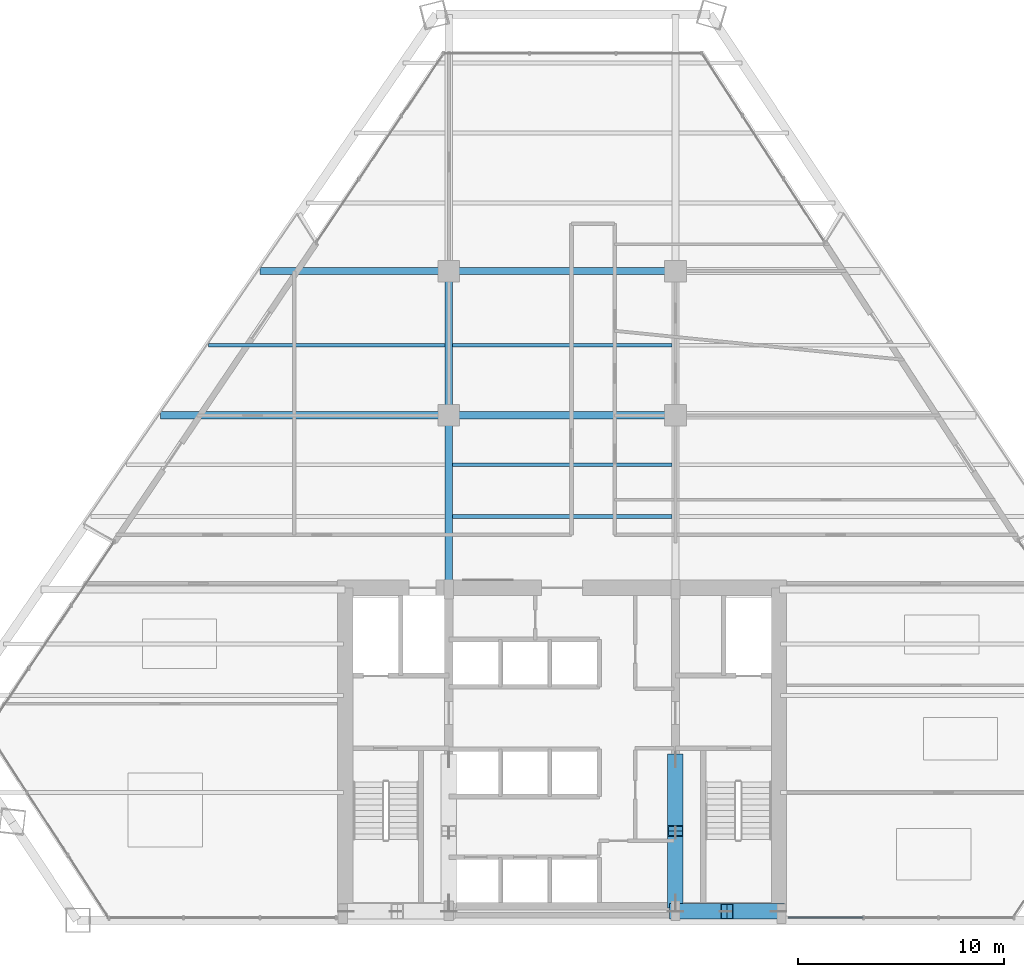
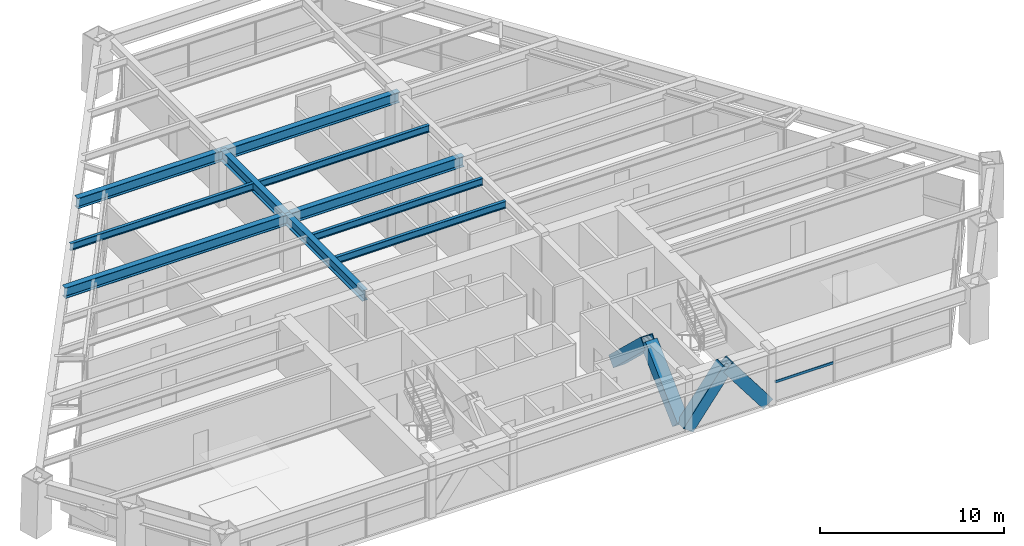
# One storey, part 5 of 14: 10 beams, 5 members, 1 element without a shape of its own.
"""IFC4 building model written with IfcOpenShell, lengths in metres."""

from ifc_helpers import new_model, si_unit, direction, frame, origin, origin_2d, place, context, subcontext, project, spatial, rectangle, hollow_rectangle, i_section, extrude, source, transform, mapped, material, material_profile, profile_set, type_object, type_shapes, element, aggregate, save


model = new_model("IFC4")

# Units and contexts
model_context = context("Model", 3, precision=1e-05, world=origin(), true_north=direction((0.0, 1.0)))
body_context = subcontext(model_context, "Body", "Model", "MODEL_VIEW")
ifc_project = project(units=[si_unit("LENGTHUNIT", "METRE"), si_unit("AREAUNIT", "SQUARE_METRE"), si_unit("VOLUMEUNIT", "CUBIC_METRE"), si_unit("PLANEANGLEUNIT", "RADIAN"), si_unit("MASSUNIT", "GRAM", prefix="KILO")], contexts=[model_context])

# Site, building, storey
site_placement = place(None, origin())
site = spatial("IfcSite", under=ifc_project, at=site_placement, CompositionType="ELEMENT")
building_placement = place(site_placement, origin())
building = spatial("IfcBuilding", under=site, at=building_placement, Name="Varnakhor Terracotta Tower", CompositionType="ELEMENT")
storey_placement = place(building_placement, frame((0.0, 0.0, 87.699951171875)))
storey = spatial("IfcBuildingStorey", under=building, at=storey_placement, Name="L21", CompositionType="ELEMENT", Elevation=87.699951171875)

# Beams
ifc_material_1 = material(Name="Steel S355", Category="steel")
ifc_material_profile_1 = material_profile(ifc_material_1, i_section(OverallWidth=0.35498046875, OverallDepth=0.695068359375, WebThickness=0.014892578125, FlangeThickness=0.02490234375, FilletRadius=0.01806640625, at=origin_2d()), Name="W27X146")
ifc_profile_set_1 = profile_set([ifc_material_profile_1], Name="Steel S355")
beam_type_1 = type_object("IfcBeamType", Name="BM-W27X146", PredefinedType="BEAM", material=ifc_profile_set_1)
shared_shape_1 = source(origin(), body_context, "Body", "SweptSolid", [
    extrude(i_section(OverallWidth=0.35498046875, OverallDepth=0.695068359375, WebThickness=0.014892578125, FlangeThickness=0.02490234375, FilletRadius=0.01806640625, at=origin_2d()), origin(), (0.0, 0.0, 1.0), 8.449951171875),
])
type_shapes(beam_type_1, [shared_shape_1])
beam_1_placement = place(storey_placement, frame((-5.5, 16.050048828125, 3.1025390625), z_axis=(0.0, 1.0, 0.0), x_axis=(-1.0, 0.0, 0.0)))
element("IfcBeam", 1, at=beam_1_placement, inside=storey, type_object=beam_type_1, Name="L21 Primary Girder NS1-W", PredefinedType="BEAM", context=body_context, shape_type="MappedRepresentation", body=[
    mapped(shared_shape_1, transform((0.0, 0.0, 0.0), scale=1.0)),
])
shared_shape_2 = source(origin(), body_context, "Body", "SweptSolid", [
    extrude(i_section(OverallWidth=0.35498046875, OverallDepth=0.695068359375, WebThickness=0.014892578125, FlangeThickness=0.02490234375, FilletRadius=0.01806640625, at=origin_2d()), origin(), (0.0, 0.0, 1.0), 7.0),
])
beam_2_placement = place(storey_placement, frame((-5.5, 24.5, 3.1025390625), z_axis=(0.0, 1.0, 0.0), x_axis=(-1.0, 0.0, 0.0)))
element("IfcBeam", 2, at=beam_2_placement, inside=storey, type_object=beam_type_1, Name="L21 Primary Girder NS2-W", PredefinedType="BEAM", context=body_context, shape_type="MappedRepresentation", body=[
    mapped(shared_shape_2, transform((0.0, 0.0, 0.0), scale=1.0)),
])
shared_shape_3 = source(origin(), body_context, "Body", "SweptSolid", [
    extrude(i_section(OverallWidth=0.35498046875, OverallDepth=0.695068359375, WebThickness=0.014892578125, FlangeThickness=0.02490234375, FilletRadius=0.01806640625, at=origin_2d()), origin(), (0.0, 0.0, 1.0), 11.0),
])
for number, where, z_axis, x_axis, name in (
    (3, (-5.5, 24.5, 3.1025390625), (1.0, 0.0, 0.0), (0.0, 1.0, 0.0), "L21 Primary Girder EW2-2"),
    (4, (-5.5, 31.5, 3.1025390625), (1.0, 0.0, 0.0), (0.0, 1.0, 0.0), "L21 Primary Girder EW3-2"),
):
    element("IfcBeam", number, at=place(storey_placement, frame(where, z_axis=z_axis, x_axis=x_axis)), inside=storey, type_object=beam_type_1, Name=name, PredefinedType="BEAM", context=body_context, shape_type="MappedRepresentation", body=[
        mapped(shared_shape_3, transform((0.0, 0.0, 0.0), scale=1.0)),
    ])
ifc_material_profile_2 = material_profile(ifc_material_1, i_section(OverallWidth=0.19189453125, OverallDepth=0.462890625, WebThickness=0.010498046875, FlangeThickness=0.017578125, FilletRadius=0.01806640625, at=origin_2d()), Name="W18X60")
ifc_profile_set_2 = profile_set([ifc_material_profile_2], Name="Steel S355")
beam_type_2 = type_object("IfcBeamType", Name="JST-W18X60", PredefinedType="JOIST", material=ifc_profile_set_2)
shared_shape_4 = source(origin(), body_context, "Body", "SweptSolid", [
    extrude(i_section(OverallWidth=0.19189453125, OverallDepth=0.462890625, WebThickness=0.010498046875, FlangeThickness=0.017578125, FilletRadius=0.01806640625, at=origin_2d()), origin(), (0.0, 0.0, 1.0), 10.65283203125),
])
for number, where, z_axis, x_axis, name in (
    (5, (-5.326416015625, 19.60009765625, 3.218505859375), (1.0, 0.0, 0.0), (0.0, 1.0, 0.0), "L21 Composite Floor Joist 4-2"),
    (6, (-5.326416015625, 22.10009765625, 3.218505859375), (1.0, 0.0, 0.0), (0.0, 1.0, 0.0), "L21 Composite Floor Joist 5-2"),
    (7, (-5.326416015625, 27.89990234375, 3.218505859375), (1.0, 0.0, 0.0), (0.0, 1.0, 0.0), "L21 Composite Floor Joist 6-2"),
):
    element("IfcBeam", number, at=place(storey_placement, frame(where, z_axis=z_axis, x_axis=x_axis)), inside=storey, type_object=beam_type_2, Name=name, PredefinedType="JOIST", context=body_context, shape_type="MappedRepresentation", body=[
        mapped(shared_shape_4, transform((0.0, 0.0, 0.0), scale=1.0)),
    ])

# Members
ifc_material_2 = material(Name="Steel S460", Category="steel")
ifc_material_profile_3 = material_profile(ifc_material_2, hollow_rectangle(XDim=0.75, YDim=0.75, WallThickness=0.044921875, at=origin_2d()), Name="HSS750X750X45")
ifc_profile_set_3 = profile_set([ifc_material_profile_3], Name="Steel S460")
member_type_1 = type_object("IfcMemberType", Name="MBR-MEGA-750", PredefinedType="BRACE", material=ifc_profile_set_3)
shared_shape_5 = source(origin(), body_context, "Body", "SweptSolid", [
    extrude(hollow_rectangle(XDim=0.75, YDim=0.75, WallThickness=0.044921875, at=origin_2d()), origin(), (0.0, 0.0, 1.0), 4.14013671875),
])
type_shapes(member_type_1, [shared_shape_5])
for number, where, z_axis, x_axis, name in (
    (8, (5.5, 0.419921875, 0.0), (0.603852011179, 0.0, 0.797096448741), (0.0, 1.0, 0.0), "L21 Core Coupled Brace CSEA"),
    (9, (10.5, 0.419921875, 0.0), (-0.603852011179, 0.0, 0.797096448741), (0.0, -1.0, 0.0), "L21 Core Coupled Brace CSEB"),
):
    element("IfcMember", number, at=place(storey_placement, frame(where, z_axis=z_axis, x_axis=x_axis)), inside=storey, type_object=member_type_1, Name=name, PredefinedType="BRACE", context=body_context, shape_type="MappedRepresentation", body=[
        mapped(shared_shape_5, transform((0.0, 0.0, 0.0), scale=1.0)),
    ])
shared_shape_6 = source(origin(), body_context, "Body", "SweptSolid", [
    extrude(hollow_rectangle(XDim=0.75, YDim=0.75, WallThickness=0.044921875, at=origin_2d()), origin(), (0.0, 0.0, 1.0), 4.792236328125),
])
for number, where, z_axis, x_axis, name in (
    (10, (5.5, 0.85009765625, 0.0), (0.0, 0.725110085518, 0.688632967466), (-1.0, 0.0, 0.0), "L21 Core Coupled Brace CWEA"),
    (11, (5.5, 7.800048828125, 0.0), (0.0, -0.72513424341, 0.688607529028), (1.0, 0.0, 0.0), "L21 Core Coupled Brace CWEB"),
):
    element("IfcMember", number, at=place(storey_placement, frame(where, z_axis=z_axis, x_axis=x_axis)), inside=storey, type_object=member_type_1, Name=name, PredefinedType="BRACE", context=body_context, shape_type="MappedRepresentation", body=[
        mapped(shared_shape_6, transform((0.0, 0.0, 0.0), scale=1.0)),
    ])

# Beams
shared_shape_7 = source(origin(), body_context, "Body", "SweptSolid", [
    extrude(i_section(OverallWidth=0.35498046875, OverallDepth=0.695068359375, WebThickness=0.014892578125, FlangeThickness=0.02490234375, FilletRadius=0.01806640625, at=origin_2d()), origin(), (0.0, 0.0, 1.0), 13.9892578125),
])
beam_3_placement = place(storey_placement, frame((-19.4892578125, 24.5, 3.1025390625), z_axis=(1.0, 0.0, 0.0), x_axis=(0.0, 1.0, 0.0)))
element("IfcBeam", 12, at=beam_3_placement, inside=storey, type_object=beam_type_1, Name="L21 Primary Girder EW2-1", PredefinedType="BEAM", context=body_context, shape_type="MappedRepresentation", body=[
    mapped(shared_shape_7, transform((0.0, 0.0, 0.0), scale=1.0)),
])
shared_shape_8 = source(origin(), body_context, "Body", "SweptSolid", [
    extrude(i_section(OverallWidth=0.35498046875, OverallDepth=0.695068359375, WebThickness=0.014892578125, FlangeThickness=0.02490234375, FilletRadius=0.01806640625, at=origin_2d()), origin(), (0.0, 0.0, 1.0), 9.175537109375),
])
beam_4_placement = place(storey_placement, frame((-14.675537109375, 31.5, 3.1025390625), z_axis=(1.0, 0.0, 0.0), x_axis=(0.0, 1.0, 0.0)))
element("IfcBeam", 13, at=beam_4_placement, inside=storey, type_object=beam_type_1, Name="L21 Primary Girder EW3-1", PredefinedType="BEAM", context=body_context, shape_type="MappedRepresentation", body=[
    mapped(shared_shape_8, transform((0.0, 0.0, 0.0), scale=1.0)),
])
shared_shape_9 = source(origin(), body_context, "Body", "SweptSolid", [
    extrude(i_section(OverallWidth=0.19189453125, OverallDepth=0.462890625, WebThickness=0.010498046875, FlangeThickness=0.017578125, FilletRadius=0.01806640625, at=origin_2d()), origin(), (0.0, 0.0, 1.0), 11.4775390625),
])
beam_5_placement = place(storey_placement, frame((-17.151123046875, 27.89990234375, 3.218505859375), z_axis=(1.0, 0.0, 0.0), x_axis=(0.0, 1.0, 0.0)))
element("IfcBeam", 14, at=beam_5_placement, inside=storey, type_object=beam_type_2, Name="L21 Composite Floor Joist 6-1", PredefinedType="JOIST", context=body_context, shape_type="MappedRepresentation", body=[
    mapped(shared_shape_9, transform((0.0, 0.0, 0.0), scale=1.0)),
])

# Curtain wall, member
ifc_material_3 = material(Name="Anodised Aluminium Curtain Wall System", Category="aluminium")
curtain_wall_type = type_object("IfcCurtainWallType", Name="CW-SYS-LOW-OFFICE", PredefinedType="NOTDEFINED", material=ifc_material_3)
curtain_wall_placement = place(storey_placement, origin())
curtain_wall = element("IfcCurtainWall", 15, at=curtain_wall_placement, inside=storey, type_object=curtain_wall_type, Name="L21 South Wing Curtain Wall SSE", PredefinedType="NOTDEFINED")
ifc_material_4 = material(Name="Anodised Aluminium 6063-T6", Category="aluminium")
ifc_material_profile_4 = material_profile(ifc_material_4, rectangle(XDim=0.074951171875, YDim=0.1650390625, at=origin_2d()), Name="ALU TRANSOM 75x165")
ifc_profile_set_4 = profile_set([ifc_material_profile_4], Name="Anodised Aluminium 6063-T6")
member_type_2 = type_object("IfcMemberType", Name="CWT-02", PredefinedType="USERDEFINED", material=ifc_profile_set_4)
shared_shape_10 = source(origin(), body_context, "Body", "SweptSolid", [
    extrude(rectangle(XDim=0.074951171875, YDim=0.1650390625, at=origin_2d()), origin(), (0.0, 0.0, 1.0), 3.65234375),
])
member_placement = place(storey_placement, frame((14.622314453125, 0.1201171875, 1.272705078125), z_axis=(-1.0, 0.0, 0.0), x_axis=(0.0, -1.0, 0.0)))
member = element("IfcMember", 16, at=member_placement, type_object=member_type_2, Name="L21 South Wing Curtain Wall SSE Transom 3", ObjectType="TRANSOM", PredefinedType="USERDEFINED", context=body_context, shape_type="MappedRepresentation", body=[
    mapped(shared_shape_10, transform((0.0, 0.0, 0.0), scale=1.0)),
])
aggregate(curtain_wall, [member])

save(model, "model.ifc")
